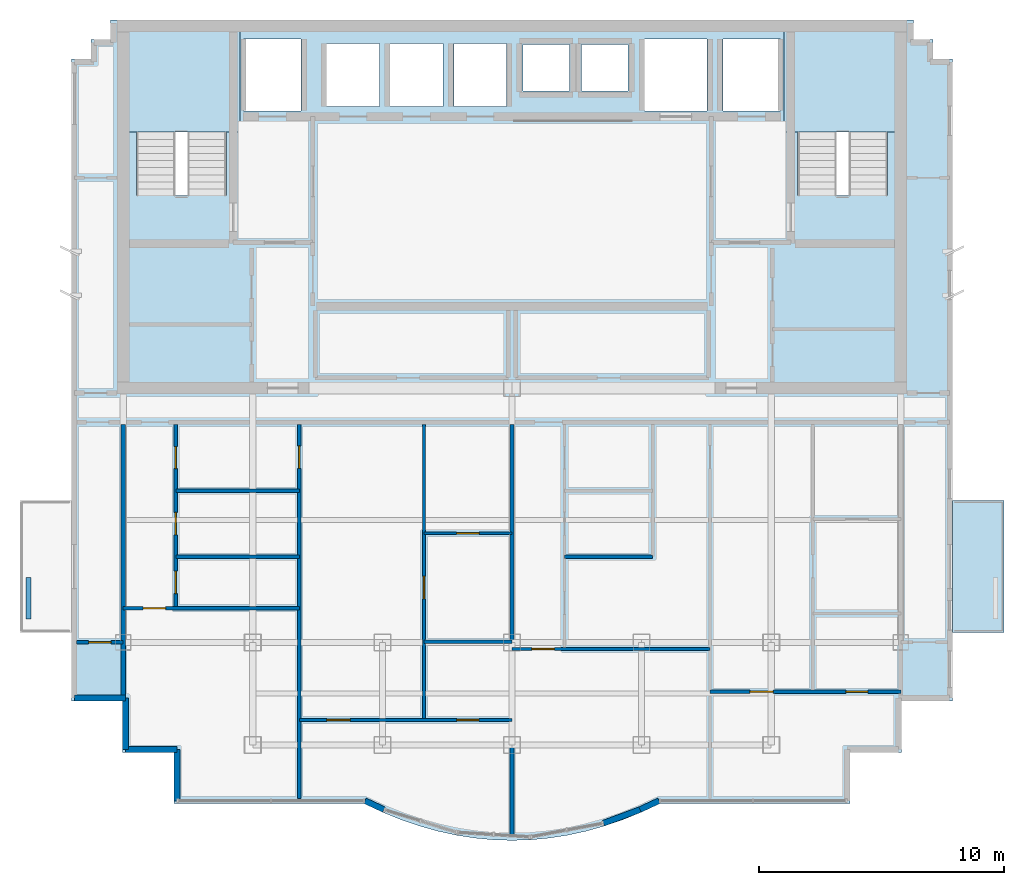
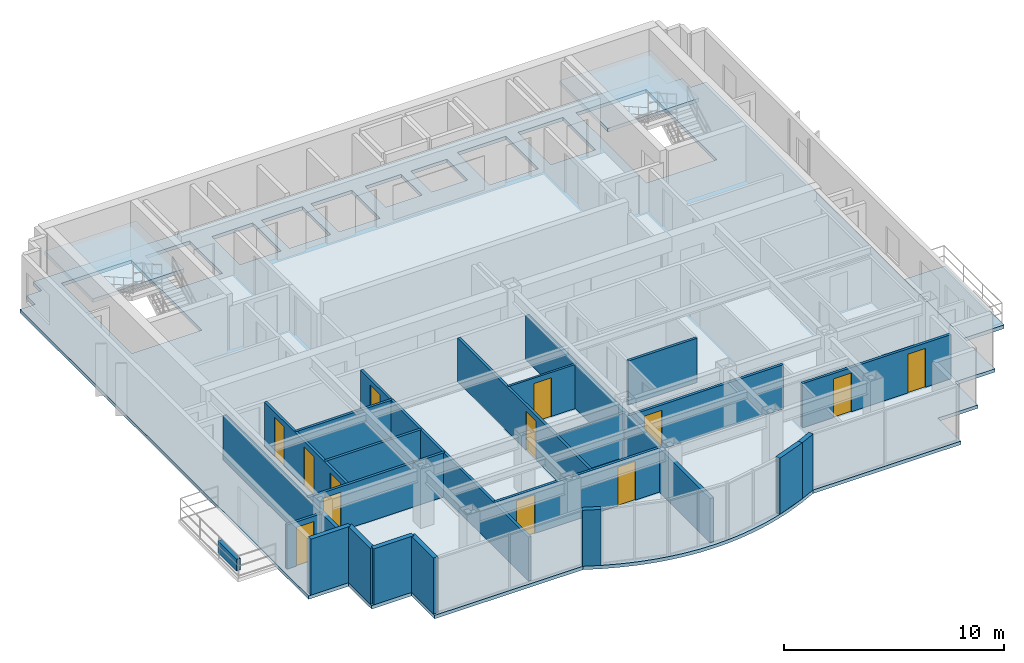
# One storey, part 3 of 9: 23 walls, 13 doors, 4 slabs, 13 openings, 2 elements without a shape of their own.
"""IFC4 building model written with IfcOpenShell, lengths in metres."""

from ifc_helpers import new_model, si_unit, direction, frame, frame_2d, origin, place, context, subcontext, project, spatial, polyline, rectangle, outline, extrude, material, layer, layer_set, type_object, element, fill, aggregate, save


model = new_model("IFC4")

# Units and contexts
model_context = context("Model", 3, precision=1e-05, world=origin(), true_north=direction((0.0, 1.0)))
body_context = subcontext(model_context, "Body", "Model", "MODEL_VIEW")
ifc_project = project(units=[si_unit("LENGTHUNIT", "METRE"), si_unit("AREAUNIT", "SQUARE_METRE"), si_unit("VOLUMEUNIT", "CUBIC_METRE"), si_unit("PLANEANGLEUNIT", "RADIAN"), si_unit("MASSUNIT", "GRAM", prefix="KILO")], contexts=[model_context])

# Site, building, storey
site_placement = place(None, origin())
site = spatial("IfcSite", under=ifc_project, at=site_placement, CompositionType="ELEMENT")
building_placement = place(site_placement, origin())
building = spatial("IfcBuilding", under=site, at=building_placement, Name="Qianlan Lanfeng Residences", CompositionType="ELEMENT")
storey_placement = place(building_placement, frame((0.0, 0.0, 252.800048828125)))
storey = spatial("IfcBuildingStorey", under=building, at=storey_placement, Name="L70", CompositionType="ELEMENT", Elevation=252.800048828125)

# Slabs
ifc_material_1 = material(Name="Concrete C42", Category="concrete")
ifc_layer_1 = layer(ifc_material_1, 0.199951171875)
ifc_layer_set_1 = layer_set([ifc_layer_1], Name="Concrete C42")
slab_type_1 = type_object("IfcSlabType", Name="S-BAL-200", PredefinedType="FLOOR", material=ifc_layer_set_1)
slab_1_placement = place(storey_placement, frame((0.0, 0.0, -0.199951171875)))
element("IfcSlab", 1, at=slab_1_placement, inside=storey, type_object=slab_type_1, Name="L70 Planted Tree Balcony Slab EB-N", PredefinedType="FLOOR", context=body_context, shape_type="SweptSolid", body=[
    extrude(outline(polyline([(44.52001953125, 20.60009765625), (44.52001953125, 15.199951171875), (46.6201171875, 15.199951171875), (46.6201171875, 20.60009765625), (44.52001953125, 20.60009765625)])), origin(), (0.0, 0.0, 1.0), 0.199951171875),
])
ifc_layer_2 = layer(ifc_material_1, 0.18994140625)
ifc_layer_set_2 = layer_set([ifc_layer_2], Name="Concrete C42")
slab_type_2 = type_object("IfcSlabType", Name="S-FL-190", PredefinedType="FLOOR", material=ifc_layer_set_2)
slab_2_placement = place(storey_placement, frame((0.0, 0.0, -0.18994140625)))
element("IfcSlab", 2, at=slab_2_placement, inside=storey, type_object=slab_type_2, Name="L70 Structural Floor Slab", PredefinedType="FLOOR", context=body_context, shape_type="SweptSolid", body=[
    extrude(outline(polyline([(8.47998046875, 12.39990234375), (10.580078125, 12.39990234375), (10.580078125, 10.300048828125), (12.679931640625, 10.300048828125), (12.679931640625, 8.199951171875), (20.4599609375, 8.199951171875), (21.215087890625, 7.847900390625), (21.969970703125, 7.5439453125), (22.72509765625, 7.285888671875), (23.47998046875, 7.074951171875), (24.235107421875, 6.910888671875), (24.989990234375, 6.7939453125), (25.7451171875, 6.722900390625), (26.5, 6.699951171875), (27.2548828125, 6.722900390625), (28.010009765625, 6.7939453125), (28.764892578125, 6.910888671875), (29.52001953125, 7.074951171875), (30.27490234375, 7.285888671875), (31.030029296875, 7.5439453125), (31.784912109375, 7.847900390625), (32.5400390625, 8.199951171875), (40.320068359375, 8.199951171875), (40.320068359375, 10.300048828125), (42.419921875, 10.300048828125), (42.419921875, 12.39990234375), (44.52001953125, 12.39990234375), (44.52001953125, 38.64990234375), (43.719970703125, 38.64990234375), (43.719970703125, 39.449951171875), (42.919921875, 39.449951171875), (42.919921875, 40.25), (10.080078125, 40.25), (10.080078125, 39.449951171875), (9.280029296875, 39.449951171875), (9.280029296875, 38.64990234375), (8.47998046875, 38.64990234375), (8.47998046875, 12.39990234375)]), holes=[polyline([(11.139892578125, 33.080078125), (11.139892578125, 39.5), (14.820068359375, 39.5), (14.820068359375, 33.080078125), (11.139892578125, 33.080078125)]), polyline([(38.179931640625, 33.080078125), (38.179931640625, 39.5), (41.860107421875, 39.5), (41.860107421875, 33.080078125), (38.179931640625, 33.080078125)]), polyline([(15.52001953125, 36.52001953125), (15.52001953125, 39.47998046875), (17.8798828125, 39.47998046875), (17.8798828125, 36.52001953125), (15.52001953125, 36.52001953125)]), polyline([(35.1201171875, 36.52001953125), (35.1201171875, 39.47998046875), (37.47998046875, 39.47998046875), (37.47998046875, 36.52001953125), (35.1201171875, 36.52001953125)]), polyline([(31.919921875, 36.52001953125), (31.919921875, 39.47998046875), (34.47998046875, 39.47998046875), (34.47998046875, 36.52001953125), (31.919921875, 36.52001953125)]), polyline([(18.919921875, 36.719970703125), (18.919921875, 39.280029296875), (21.080078125, 39.280029296875), (21.080078125, 36.719970703125), (18.919921875, 36.719970703125)]), polyline([(21.52001953125, 36.719970703125), (21.52001953125, 39.280029296875), (23.679931640625, 39.280029296875), (23.679931640625, 36.719970703125), (21.52001953125, 36.719970703125)]), polyline([(24.1201171875, 36.719970703125), (24.1201171875, 39.280029296875), (26.280029296875, 39.280029296875), (26.280029296875, 36.719970703125), (24.1201171875, 36.719970703125)]), polyline([(26.949951171875, 37.35009765625), (26.949951171875, 39.25), (28.85009765625, 39.25), (28.85009765625, 37.35009765625), (26.949951171875, 37.35009765625)]), polyline([(29.35009765625, 37.35009765625), (29.35009765625, 39.25), (31.25, 39.25), (31.25, 37.35009765625), (29.35009765625, 37.35009765625)])]), origin(), (0.0, 0.0, 1.0), 0.18994140625),
])

# Stair, slab
stair_type = type_object("IfcStairType", Name="STR-MAIN", PredefinedType="HALF_TURN_STAIR", material=ifc_material_1)
stair_1_placement = place(storey_placement, origin())
stair_1 = element("IfcStair", 3, at=stair_1_placement, inside=storey, type_object=stair_type, Name="L70 Exit Stair ST-1", PredefinedType="HALF_TURN_STAIR")
ifc_layer_3 = layer(ifc_material_1, 0.179931640625)
ifc_layer_set_3 = layer_set([ifc_layer_3], Name="Concrete C42")
slab_type_3 = type_object("IfcSlabType", Name="S-LND-180", PredefinedType="LANDING", material=ifc_layer_set_3)
slab_3_placement = place(storey_placement, frame((0.0, 0.0, 1.449951171875)))
slab_3 = element("IfcSlab", 4, at=slab_3_placement, type_object=slab_type_3, Name="ST-1 landing 1", PredefinedType="LANDING", context=body_context, shape_type="SweptSolid", body=[
    extrude(outline(polyline([(10.580078125, 35.659912109375), (15.3798828125, 35.659912109375), (15.3798828125, 40.050048828125), (10.580078125, 40.050048828125), (10.580078125, 35.659912109375)])), origin(), (0.0, 0.0, 1.0), 0.199951171875),
])
aggregate(stair_1, [slab_3])

stair_2_placement = place(storey_placement, origin())
stair_2 = element("IfcStair", 5, at=stair_2_placement, inside=storey, type_object=stair_type, Name="L70 Exit Stair ST-2", PredefinedType="HALF_TURN_STAIR")
slab_4_placement = place(storey_placement, frame((0.0, 0.0, 1.449951171875)))
slab_4 = element("IfcSlab", 6, at=slab_4_placement, type_object=slab_type_3, Name="ST-2 landing 1", PredefinedType="LANDING", context=body_context, shape_type="SweptSolid", body=[
    extrude(outline(polyline([(37.6201171875, 35.659912109375), (42.419921875, 35.659912109375), (42.419921875, 40.050048828125), (37.6201171875, 40.050048828125), (37.6201171875, 35.659912109375)])), origin(), (0.0, 0.0, 1.0), 0.199951171875),
])
aggregate(stair_2, [slab_4])

# Walls
ifc_layer_4 = layer(ifc_material_1, 0.239990234375)
ifc_layer_set_4 = layer_set([ifc_layer_4], Name="Concrete C42")
wall_type_1 = type_object("IfcWallType", Name="EW-240", PredefinedType="SOLIDWALL", material=ifc_layer_set_4)
wall_1_placement = place(storey_placement, frame((8.60009765625, 12.52001953125, 0.0), z_axis=(0.0, 0.0, 1.0), x_axis=(1.0, 0.0, 0.0)))
element("IfcWall", 7, at=wall_1_placement, inside=storey, type_object=wall_type_1, Name="L70 Exterior Facade Spandrel Wall 1", PredefinedType="SOLIDWALL", context=body_context, shape_type="SweptSolid", body=[
    extrude(rectangle(XDim=2.099853515625, YDim=0.239990234375, at=frame_2d((1.0498046875, 0.0))), origin(), (0.0, 0.0, 1.0), 3.10986328125),
])
for number, where, z_axis, x_axis, name in (
    (8, (10.699951171875, 12.52001953125, 0.0), (0.0, 0.0, 1.0), (0.0, -1.0, 0.0), "L70 Exterior Facade Spandrel Wall 2"),
    (9, (10.699951171875, 10.419921875, 0.0), (0.0, 0.0, 1.0), (1.0, 0.0, 0.0), "L70 Exterior Facade Spandrel Wall 3"),
):
    element("IfcWall", number, at=place(storey_placement, frame(where, z_axis=z_axis, x_axis=x_axis)), inside=storey, type_object=wall_type_1, Name=name, PredefinedType="SOLIDWALL", context=body_context, shape_type="SweptSolid", body=[
        extrude(rectangle(XDim=2.10009765625, YDim=0.239990234375, at=frame_2d((1.050048828125, 0.0))), origin(), (0.0, 0.0, 1.0), 3.10986328125),
    ])
wall_2_placement = place(storey_placement, frame((12.800048828125, 10.419921875, 0.0), z_axis=(0.0, 0.0, 1.0), x_axis=(0.0, -1.0, 0.0)))
element("IfcWall", 10, at=wall_2_placement, inside=storey, type_object=wall_type_1, Name="L70 Exterior Facade Spandrel Wall 4", PredefinedType="SOLIDWALL", context=body_context, shape_type="SweptSolid", body=[
    extrude(rectangle(XDim=2.099853515625, YDim=0.239990234375, at=frame_2d((1.0498046875, 0.0))), origin(), (0.0, 0.0, 1.0), 3.10986328125),
])
wall_3_placement = place(storey_placement, frame((20.487060546875, 8.320068359375, 0.0), z_axis=(0.0, 0.0, 1.0), x_axis=(0.906190424584, -0.422869855147, 0.0)))
element("IfcWall", 11, at=wall_3_placement, inside=storey, type_object=wall_type_1, Name="L70 Exterior Facade Spandrel Wall 5", PredefinedType="SOLIDWALL", context=body_context, shape_type="SweptSolid", body=[
    extrude(rectangle(XDim=0.856201171875, YDim=0.239990234375, at=frame_2d((0.42822265625, 0.0))), origin(), (0.0, 0.0, 1.0), 3.10986328125),
])
wall_4_placement = place(storey_placement, frame((30.239013671875, 7.40087890625, 0.0), z_axis=(0.0, 0.0, 1.0), x_axis=(0.937279890693, 0.34857769077, 0.0)))
element("IfcWall", 12, at=wall_4_placement, inside=storey, type_object=wall_type_1, Name="L70 Exterior Facade Spandrel Wall 6", PredefinedType="SOLIDWALL", context=body_context, shape_type="SweptSolid", body=[
    extrude(rectangle(XDim=1.598388671875, YDim=0.239990234375, at=frame_2d((0.79931640625, 0.0))), origin(), (0.0, 0.0, 1.0), 3.10986328125),
])
wall_5_placement = place(storey_placement, frame((31.737060546875, 7.9580078125, 0.0), z_axis=(0.0, 0.0, 1.0), x_axis=(0.906190424584, 0.422869855147, 0.0)))
element("IfcWall", 13, at=wall_5_placement, inside=storey, type_object=wall_type_1, Name="L70 Exterior Facade Spandrel Wall 7", PredefinedType="SOLIDWALL", context=body_context, shape_type="SweptSolid", body=[
    extrude(rectangle(XDim=0.856201171875, YDim=0.239990234375, at=frame_2d((0.42822265625, 0.0))), origin(), (0.0, 0.0, 1.0), 3.10986328125),
])
ifc_layer_5 = layer(ifc_material_1, 0.199951171875)
ifc_layer_set_5 = layer_set([ifc_layer_5], Name="Concrete C42")
wall_type_2 = type_object("IfcWallType", Name="PL-TREE-200", PredefinedType="PARAPET", material=ifc_layer_set_5)
wall_6_placement = place(storey_placement, frame((6.72998046875, 15.75, 0.0), z_axis=(0.0, 0.0, 1.0), x_axis=(0.0, 1.0, 0.0)))
element("IfcWall", 14, at=wall_6_placement, inside=storey, type_object=wall_type_2, Name="L70 West Tree Planter Curb WB-S", PredefinedType="PARAPET", context=body_context, shape_type="SweptSolid", body=[
    extrude(rectangle(XDim=1.699951171875, YDim=0.199951171875, at=frame_2d((0.85009765625, 0.0))), origin(), (0.0, 0.0, 1.0), 0.64990234375),
])

# Wall, opening, door
ifc_material_2 = material(Name="Demountable Acoustic Framing Partition 110 mm")
ifc_layer_6 = layer(ifc_material_2, 0.110107421875)
ifc_layer_set_6 = layer_set([ifc_layer_6], Name="Demountable Acoustic Framing Partition 110 mm")
wall_type_3 = type_object("IfcWallType", Name="PW-110", PredefinedType="MOVABLE", material=ifc_layer_set_6)
wall_7_placement = place(storey_placement, frame((22.89990234375, 19.260986328125, 0.0), z_axis=(0.0, 0.0, 1.0), x_axis=(1.0, 0.0, 0.0)))
wall_7 = element("IfcWall", 15, at=wall_7_placement, inside=storey, type_object=wall_type_3, Name="L70 U01 Wardrobe Split", PredefinedType="MOVABLE", context=body_context, shape_type="SweptSolid", body=[
    extrude(rectangle(XDim=3.60009765625, YDim=0.110107421875, at=frame_2d((1.800048828125, 0.0))), origin(), (0.0, 0.0, 1.0), 2.449951171875),
])
opening_1_placement = place(wall_7_placement, frame((1.340087890625, 0.0, 0.0)))
opening_1 = element("IfcOpeningElement", 16, at=opening_1_placement, cuts=wall_7, Name="Opening L70-D26", PredefinedType="OPENING", context=body_context, shape_type="SweptSolid", body=[
    extrude(rectangle(XDim=0.919921875, YDim=2.14990234375, at=frame_2d((0.4599609375, 1.074951171875))), frame((0.0, 0.06494140625, 0.0), z_axis=(0.0, -1.0, 0.0), x_axis=(1.0, 0.0, 0.0)), (0.0, 0.0, 1.0), 0.130126953125),
])
ifc_material_3 = material(Name="Glazed Timber Kitchen/Study Door", Category="wood")
door_type_1 = type_object("IfcDoorType", Name="DT-INT", OperationType="NOTDEFINED", PredefinedType="DOOR", material=ifc_material_3)
door_1_placement = place(opening_1_placement, origin())
door_1 = element("IfcDoor", 17, at=door_1_placement, inside=storey, type_object=door_type_1, Name="L70 U01 Dressing Inner Door L70-D26 (DT-INT)", OperationType="SINGLE_SWING_RIGHT", OverallHeight=2.14990234375, OverallWidth=0.919921875, PredefinedType="DOOR", context=body_context, shape_type="SweptSolid", body=[
    extrude(rectangle(XDim=0.919921875, YDim=2.14990234375, at=frame_2d((0.4599609375, 1.074951171875))), frame((0.0, 0.02490234375, 0.0), z_axis=(0.0, -1.0, 0.0), x_axis=(1.0, 0.0, 0.0)), (0.0, 0.0, 1.0), 0.050048828125),
])
fill(opening_1, door_1)

ifc_material_4 = material(Name="Moisture-Resistant Gypsum Partition 135 mm")
ifc_layer_7 = layer(ifc_material_4, 0.135009765625)
ifc_layer_set_7 = layer_set([ifc_layer_7], Name="Moisture-Resistant Gypsum Partition 135 mm")
wall_type_4 = type_object("IfcWallType", Name="PW-135", PredefinedType="PARTITIONING", material=ifc_layer_set_7)
wall_8_placement = place(storey_placement, frame((17.800048828125, 8.419921875, 0.0), z_axis=(0.0, 0.0, 1.0), x_axis=(0.0, 1.0, 0.0)))
wall_8 = element("IfcWall", 18, at=wall_8_placement, inside=storey, type_object=wall_type_4, Name="L70 U01 Bay Spine Wall 1", PredefinedType="PARTITIONING", context=body_context, shape_type="SweptSolid", body=[
    extrude(rectangle(XDim=15.280029296875, YDim=0.135009765625, at=frame_2d((7.64013671875, 0.0))), origin(), (0.0, 0.0, 1.0), 2.449951171875),
])
opening_2_placement = place(wall_8_placement, frame((13.4951171875, 0.0, 0.0)))
opening_2 = element("IfcOpeningElement", 19, at=opening_2_placement, cuts=wall_8, Name="Opening L70-D18", PredefinedType="OPENING", context=body_context, shape_type="SweptSolid", body=[
    extrude(rectangle(XDim=0.919921875, YDim=2.14990234375, at=frame_2d((0.4599609375, 1.074951171875))), frame((0.0, 0.07763671875, 0.0), z_axis=(0.0, -1.0, 0.0), x_axis=(1.0, 0.0, 0.0)), (0.0, 0.0, 1.0), 0.155029296875),
])
door_2_placement = place(opening_2_placement, origin())
door_2 = element("IfcDoor", 20, at=door_2_placement, inside=storey, type_object=door_type_1, Name="L70 U01 Internal Hall Door L70-D18 (DT-INT)", OperationType="SINGLE_SWING_RIGHT", OverallHeight=2.14990234375, OverallWidth=0.919921875, PredefinedType="DOOR", context=body_context, shape_type="SweptSolid", body=[
    extrude(rectangle(XDim=0.919921875, YDim=2.14990234375, at=frame_2d((0.4599609375, 1.074951171875))), frame((0.0, 0.02490234375, 0.0), z_axis=(0.0, -1.0, 0.0), x_axis=(1.0, 0.0, 0.0)), (0.0, 0.0, 1.0), 0.050048828125),
])
fill(opening_2, door_2)

wall_9_placement = place(storey_placement, frame((10.60009765625, 16.197998046875, 0.0), z_axis=(0.0, 0.0, 1.0), x_axis=(1.0, 0.0, 0.0)))
wall_9 = element("IfcWall", 21, at=wall_9_placement, inside=storey, type_object=wall_type_4, Name="L70 U01 Living Divider", PredefinedType="PARTITIONING", context=body_context, shape_type="SweptSolid", body=[
    extrude(rectangle(XDim=7.199951171875, YDim=0.135009765625, at=frame_2d((3.60009765625, 0.0))), origin(), (0.0, 0.0, 1.0), 2.449951171875),
])
opening_3_placement = place(wall_9_placement, frame((0.81494140625, 0.0, 0.0)))
opening_3 = element("IfcOpeningElement", 22, at=opening_3_placement, cuts=wall_9, Name="Opening L70-D19", PredefinedType="OPENING", context=body_context, shape_type="SweptSolid", body=[
    extrude(rectangle(XDim=0.919921875, YDim=2.14990234375, at=frame_2d((0.4599609375, 1.074951171875))), frame((0.0, 0.07763671875, 0.0), z_axis=(0.0, -1.0, 0.0), x_axis=(1.0, 0.0, 0.0)), (0.0, 0.0, 1.0), 0.155029296875),
])
door_3_placement = place(opening_3_placement, origin())
door_3 = element("IfcDoor", 23, at=door_3_placement, inside=storey, type_object=door_type_1, Name="L70 U01 Living Passage Door L70-D19 (DT-INT)", OperationType="SINGLE_SWING_LEFT", OverallHeight=2.14990234375, OverallWidth=0.919921875, PredefinedType="DOOR", context=body_context, shape_type="SweptSolid", body=[
    extrude(rectangle(XDim=0.919921875, YDim=2.14990234375, at=frame_2d((0.4599609375, 1.074951171875))), frame((0.0, 0.02490234375, 0.0), z_axis=(0.0, -1.0, 0.0), x_axis=(1.0, 0.0, 0.0)), (0.0, 0.0, 1.0), 0.050048828125),
])
fill(opening_3, door_3)

# Wall, openings, doors
wall_10_placement = place(storey_placement, frame((12.75, 16.197998046875, 0.0), z_axis=(0.0, 0.0, 1.0), x_axis=(0.0, 1.0, 0.0)))
wall_10 = element("IfcWall", 24, at=wall_10_placement, inside=storey, type_object=wall_type_4, Name="L70 U01 Entry Hall Spine", PredefinedType="PARTITIONING", context=body_context, shape_type="SweptSolid", body=[
    extrude(rectangle(XDim=7.501953125, YDim=0.135009765625, at=frame_2d((3.7509765625, 0.0))), origin(), (0.0, 0.0, 1.0), 2.449951171875),
])
opening_4_placement = place(wall_10_placement, frame((0.591064453125, 0.0, 0.0)))
opening_4 = element("IfcOpeningElement", 25, at=opening_4_placement, cuts=wall_10, Name="Opening L70-D20", PredefinedType="OPENING", context=body_context, shape_type="SweptSolid", body=[
    extrude(rectangle(XDim=0.919921875, YDim=2.14990234375, at=frame_2d((0.4599609375, 1.074951171875))), frame((0.0, 0.07763671875, 0.0), z_axis=(0.0, -1.0, 0.0), x_axis=(1.0, 0.0, 0.0)), (0.0, 0.0, 1.0), 0.155029296875),
])
opening_5_placement = place(wall_10_placement, frame((2.991943359375, 0.0, 0.0)))
opening_5 = element("IfcOpeningElement", 26, at=opening_5_placement, cuts=wall_10, Name="Opening L70-D21", PredefinedType="OPENING", context=body_context, shape_type="SweptSolid", body=[
    extrude(rectangle(XDim=0.919921875, YDim=2.14990234375, at=frame_2d((0.4599609375, 1.074951171875))), frame((0.0, 0.07763671875, 0.0), z_axis=(0.0, -1.0, 0.0), x_axis=(1.0, 0.0, 0.0)), (0.0, 0.0, 1.0), 0.155029296875),
])
opening_6_placement = place(wall_10_placement, frame((5.701904296875, 0.0, 0.0)))
opening_6 = element("IfcOpeningElement", 27, at=opening_6_placement, cuts=wall_10, Name="Opening L70-D22", PredefinedType="OPENING", context=body_context, shape_type="SweptSolid", body=[
    extrude(rectangle(XDim=0.89990234375, YDim=2.14990234375, at=frame_2d((0.449951171875, 1.074951171875))), frame((0.0, 0.07763671875, 0.0), z_axis=(0.0, -1.0, 0.0), x_axis=(1.0, 0.0, 0.0)), (0.0, 0.0, 1.0), 0.155029296875),
])
door_4_placement = place(opening_4_placement, origin())
door_4 = element("IfcDoor", 28, at=door_4_placement, inside=storey, type_object=door_type_1, Name="L70 U01 Study Door L70-D20 (DT-INT)", OperationType="SINGLE_SWING_RIGHT", OverallHeight=2.14990234375, OverallWidth=0.919921875, PredefinedType="DOOR", context=body_context, shape_type="SweptSolid", body=[
    extrude(rectangle(XDim=0.919921875, YDim=2.14990234375, at=frame_2d((0.4599609375, 1.074951171875))), frame((0.0, 0.02490234375, 0.0), z_axis=(0.0, -1.0, 0.0), x_axis=(1.0, 0.0, 0.0)), (0.0, 0.0, 1.0), 0.050048828125),
])
fill(opening_4, door_4)
door_5_placement = place(opening_5_placement, origin())
door_5 = element("IfcDoor", 29, at=door_5_placement, inside=storey, type_object=door_type_1, Name="L70 U01 Kitchen Door L70-D21 (DT-INT)", OperationType="SINGLE_SWING_LEFT", OverallHeight=2.14990234375, OverallWidth=0.919921875, PredefinedType="DOOR", context=body_context, shape_type="SweptSolid", body=[
    extrude(rectangle(XDim=0.919921875, YDim=2.14990234375, at=frame_2d((0.4599609375, 1.074951171875))), frame((0.0, 0.02490234375, 0.0), z_axis=(0.0, -1.0, 0.0), x_axis=(1.0, 0.0, 0.0)), (0.0, 0.0, 1.0), 0.050048828125),
])
fill(opening_5, door_5)
ifc_material_5 = material(Name="Moisture-Resistant Timber Leaf", Category="wood")
door_type_2 = type_object("IfcDoorType", Name="DT-WC", OperationType="NOTDEFINED", PredefinedType="DOOR", material=ifc_material_5)
door_6_placement = place(opening_6_placement, origin())
door_6 = element("IfcDoor", 30, at=door_6_placement, inside=storey, type_object=door_type_2, Name="L70 U01 Bathroom Door L70-D22 (DT-WC)", OperationType="SINGLE_SWING_RIGHT", OverallHeight=2.14990234375, OverallWidth=0.89990234375, PredefinedType="DOOR", context=body_context, shape_type="SweptSolid", body=[
    extrude(rectangle(XDim=0.89990234375, YDim=2.14990234375, at=frame_2d((0.449951171875, 1.074951171875))), frame((0.0, 0.02490234375, 0.0), z_axis=(0.0, -1.0, 0.0), x_axis=(1.0, 0.0, 0.0)), (0.0, 0.0, 1.0), 0.050048828125),
])
fill(opening_6, door_6)

# Walls
for number, where, z_axis, x_axis, name in (
    (31, (12.75, 18.300048828125, 0.0), (0.0, 0.0, 1.0), (1.0, 0.0, 0.0), "L70 U01 Kitchen South Wall"),
    (32, (12.75, 21.0, 0.0), (0.0, 0.0, 1.0), (1.0, 0.0, 0.0), "L70 U01 Bathroom South Wall"),
):
    element("IfcWall", number, at=place(storey_placement, frame(where, z_axis=z_axis, x_axis=x_axis)), inside=storey, type_object=wall_type_4, Name=name, PredefinedType="PARTITIONING", context=body_context, shape_type="SweptSolid", body=[
        extrude(rectangle(XDim=5.050048828125, YDim=0.135009765625, at=frame_2d((2.52490234375, 0.0))), origin(), (0.0, 0.0, 1.0), 2.449951171875),
    ])

# Wall, openings, doors
wall_11_placement = place(storey_placement, frame((17.800048828125, 11.623046875, 0.0), z_axis=(0.0, 0.0, 1.0), x_axis=(1.0, 0.0, 0.0)))
wall_11 = element("IfcWall", 33, at=wall_11_placement, inside=storey, type_object=wall_type_4, Name="L70 U01 Master Bedroom North Wall", PredefinedType="PARTITIONING", context=body_context, shape_type="SweptSolid", body=[
    extrude(rectangle(XDim=8.699951171875, YDim=0.135009765625, at=frame_2d((4.35009765625, 0.0))), origin(), (0.0, 0.0, 1.0), 2.449951171875),
])
opening_7_placement = place(wall_11_placement, frame((1.125, 0.0, 0.0)))
opening_7 = element("IfcOpeningElement", 34, at=opening_7_placement, cuts=wall_11, Name="Opening L70-D23", PredefinedType="OPENING", context=body_context, shape_type="SweptSolid", body=[
    extrude(rectangle(XDim=0.949951171875, YDim=2.14990234375, at=frame_2d((0.47509765625, 1.074951171875))), frame((0.0, 0.07763671875, 0.0), z_axis=(0.0, -1.0, 0.0), x_axis=(1.0, 0.0, 0.0)), (0.0, 0.0, 1.0), 0.155029296875),
])
opening_8_placement = place(wall_11_placement, frame((6.449951171875, 0.0, 0.0)))
opening_8 = element("IfcOpeningElement", 35, at=opening_8_placement, cuts=wall_11, Name="Opening L70-D24", PredefinedType="OPENING", context=body_context, shape_type="SweptSolid", body=[
    extrude(rectangle(XDim=0.89990234375, YDim=2.14990234375, at=frame_2d((0.449951171875, 1.074951171875))), frame((0.0, 0.07763671875, 0.0), z_axis=(0.0, -1.0, 0.0), x_axis=(1.0, 0.0, 0.0)), (0.0, 0.0, 1.0), 0.155029296875),
])
ifc_material_6 = material(Name="Painted Solid-Core Timber Leaf", Category="wood")
door_type_3 = type_object("IfcDoorType", Name="DT-BED", OperationType="NOTDEFINED", PredefinedType="DOOR", material=ifc_material_6)
door_7_placement = place(opening_7_placement, origin())
door_7 = element("IfcDoor", 36, at=door_7_placement, inside=storey, type_object=door_type_3, Name="L70 U01 Master Bedroom Door L70-D23 (DT-BED)", OperationType="SINGLE_SWING_LEFT", OverallHeight=2.14990234375, OverallWidth=0.949951171875, PredefinedType="DOOR", context=body_context, shape_type="SweptSolid", body=[
    extrude(rectangle(XDim=0.949951171875, YDim=2.14990234375, at=frame_2d((0.47509765625, 1.074951171875))), frame((0.0, 0.02490234375, 0.0), z_axis=(0.0, -1.0, 0.0), x_axis=(1.0, 0.0, 0.0)), (0.0, 0.0, 1.0), 0.050048828125),
])
fill(opening_7, door_7)
door_8_placement = place(opening_8_placement, origin())
door_8 = element("IfcDoor", 37, at=door_8_placement, inside=storey, type_object=door_type_2, Name="L70 U01 En-Suite Bathroom Door L70-D24 (DT-WC)", OperationType="SINGLE_SWING_RIGHT", OverallHeight=2.14990234375, OverallWidth=0.89990234375, PredefinedType="DOOR", context=body_context, shape_type="SweptSolid", body=[
    extrude(rectangle(XDim=0.89990234375, YDim=2.14990234375, at=frame_2d((0.449951171875, 1.074951171875))), frame((0.0, 0.02490234375, 0.0), z_axis=(0.0, -1.0, 0.0), x_axis=(1.0, 0.0, 0.0)), (0.0, 0.0, 1.0), 0.050048828125),
])
fill(opening_8, door_8)

# Wall, opening, door
wall_12_placement = place(storey_placement, frame((22.89990234375, 11.623046875, 0.0), z_axis=(0.0, 0.0, 1.0), x_axis=(0.0, 1.0, 0.0)))
wall_12 = element("IfcWall", 38, at=wall_12_placement, inside=storey, type_object=wall_type_4, Name="L70 U01 Master Passage Wall", PredefinedType="PARTITIONING", context=body_context, shape_type="SweptSolid", body=[
    extrude(rectangle(XDim=12.076904296875, YDim=0.135009765625, at=frame_2d((6.03857421875, 0.0))), origin(), (0.0, 0.0, 1.0), 2.449951171875),
])
opening_9_placement = place(wall_12_placement, frame((4.958984375, 0.0, 0.0)))
opening_9 = element("IfcOpeningElement", 39, at=opening_9_placement, cuts=wall_12, Name="Opening L70-D25", PredefinedType="OPENING", context=body_context, shape_type="SweptSolid", body=[
    extrude(rectangle(XDim=0.919921875, YDim=2.14990234375, at=frame_2d((0.4599609375, 1.074951171875))), frame((0.0, 0.07763671875, 0.0), z_axis=(0.0, -1.0, 0.0), x_axis=(1.0, 0.0, 0.0)), (0.0, 0.0, 1.0), 0.155029296875),
])
door_9_placement = place(opening_9_placement, origin())
door_9 = element("IfcDoor", 40, at=door_9_placement, inside=storey, type_object=door_type_1, Name="L70 U01 Wardrobe Door L70-D25 (DT-INT)", OperationType="SINGLE_SWING_LEFT", OverallHeight=2.14990234375, OverallWidth=0.919921875, PredefinedType="DOOR", context=body_context, shape_type="SweptSolid", body=[
    extrude(rectangle(XDim=0.919921875, YDim=2.14990234375, at=frame_2d((0.4599609375, 1.074951171875))), frame((0.0, 0.02490234375, 0.0), z_axis=(0.0, -1.0, 0.0), x_axis=(1.0, 0.0, 0.0)), (0.0, 0.0, 1.0), 0.050048828125),
])
fill(opening_9, door_9)

# Wall
wall_13_placement = place(storey_placement, frame((22.89990234375, 14.822998046875, 0.0), z_axis=(0.0, 0.0, 1.0), x_axis=(1.0, 0.0, 0.0)))
element("IfcWall", 41, at=wall_13_placement, inside=storey, type_object=wall_type_4, Name="L70 U01 En-Suite North Wall", PredefinedType="PARTITIONING", context=body_context, shape_type="SweptSolid", body=[
    extrude(rectangle(XDim=3.60009765625, YDim=0.135009765625, at=frame_2d((1.800048828125, 0.0))), origin(), (0.0, 0.0, 1.0), 2.449951171875),
])

# Wall, opening, door
wall_14_placement = place(storey_placement, frame((26.5, 14.52587890625, 0.0), z_axis=(0.0, 0.0, 1.0), x_axis=(1.0, 0.0, 0.0)))
wall_14 = element("IfcWall", 42, at=wall_14_placement, inside=storey, type_object=wall_type_4, Name="L70 U02 Living Divider", PredefinedType="PARTITIONING", context=body_context, shape_type="SweptSolid", body=[
    extrude(rectangle(XDim=8.10009765625, YDim=0.135009765625, at=frame_2d((4.050048828125, 0.0))), origin(), (0.0, 0.0, 1.0), 2.449951171875),
])
opening_10_placement = place(wall_14_placement, frame((0.81494140625, 0.0, 0.0)))
opening_10 = element("IfcOpeningElement", 43, at=opening_10_placement, cuts=wall_14, Name="Opening L70-D29", PredefinedType="OPENING", context=body_context, shape_type="SweptSolid", body=[
    extrude(rectangle(XDim=0.919921875, YDim=2.14990234375, at=frame_2d((0.4599609375, 1.074951171875))), frame((0.0, 0.07763671875, 0.0), z_axis=(0.0, -1.0, 0.0), x_axis=(1.0, 0.0, 0.0)), (0.0, 0.0, 1.0), 0.155029296875),
])
door_10_placement = place(opening_10_placement, frame((0.919921875, 0.0, 0.0), z_axis=(0.0, 0.0, 1.0), x_axis=(-1.0, 0.0, 0.0)))
door_10 = element("IfcDoor", 44, at=door_10_placement, inside=storey, type_object=door_type_1, Name="L70 U02 Living Passage Door L70-D29 (DT-INT)", OperationType="SINGLE_SWING_LEFT", OverallHeight=2.14990234375, OverallWidth=0.919921875, PredefinedType="DOOR", context=body_context, shape_type="SweptSolid", body=[
    extrude(rectangle(XDim=0.919921875, YDim=2.14990234375, at=frame_2d((0.4599609375, 1.074951171875))), frame((0.0, 0.02490234375, 0.0), z_axis=(0.0, -1.0, 0.0), x_axis=(1.0, 0.0, 0.0)), (0.0, 0.0, 1.0), 0.050048828125),
])
fill(opening_10, door_10)

# Wall
wall_15_placement = place(storey_placement, frame((28.64990234375, 18.300048828125, 0.0), z_axis=(0.0, 0.0, 1.0), x_axis=(1.0, 0.0, 0.0)))
element("IfcWall", 45, at=wall_15_placement, inside=storey, type_object=wall_type_4, Name="L70 U02 Kitchen South Wall", PredefinedType="PARTITIONING", context=body_context, shape_type="SweptSolid", body=[
    extrude(rectangle(XDim=3.60009765625, YDim=0.135009765625, at=frame_2d((1.800048828125, 0.0))), origin(), (0.0, 0.0, 1.0), 2.449951171875),
])

# Wall, openings, doors
wall_16_placement = place(storey_placement, frame((34.60009765625, 12.779052734375, 0.0), z_axis=(0.0, 0.0, 1.0), x_axis=(1.0, 0.0, 0.0)))
wall_16 = element("IfcWall", 46, at=wall_16_placement, inside=storey, type_object=wall_type_4, Name="L70 U02 Master Bedroom North Wall", PredefinedType="PARTITIONING", context=body_context, shape_type="SweptSolid", body=[
    extrude(rectangle(XDim=7.7998046875, YDim=0.135009765625, at=frame_2d((3.89990234375, 0.0))), origin(), (0.0, 0.0, 1.0), 2.449951171875),
])
opening_11_placement = place(wall_16_placement, frame((1.625, 0.0, 0.0)))
opening_11 = element("IfcOpeningElement", 47, at=opening_11_placement, cuts=wall_16, Name="Opening L70-D33", PredefinedType="OPENING", context=body_context, shape_type="SweptSolid", body=[
    extrude(rectangle(XDim=0.949951171875, YDim=2.14990234375, at=frame_2d((0.47509765625, 1.074951171875))), frame((0.0, 0.07763671875, 0.0), z_axis=(0.0, -1.0, 0.0), x_axis=(1.0, 0.0, 0.0)), (0.0, 0.0, 1.0), 0.155029296875),
])
opening_12_placement = place(wall_16_placement, frame((5.550048828125, 0.0, 0.0)))
opening_12 = element("IfcOpeningElement", 48, at=opening_12_placement, cuts=wall_16, Name="Opening L70-D34", PredefinedType="OPENING", context=body_context, shape_type="SweptSolid", body=[
    extrude(rectangle(XDim=0.89990234375, YDim=2.14990234375, at=frame_2d((0.449951171875, 1.074951171875))), frame((0.0, 0.07763671875, 0.0), z_axis=(0.0, -1.0, 0.0), x_axis=(1.0, 0.0, 0.0)), (0.0, 0.0, 1.0), 0.155029296875),
])
door_11_placement = place(opening_11_placement, origin())
door_11 = element("IfcDoor", 49, at=door_11_placement, inside=storey, type_object=door_type_3, Name="L70 U02 Master Bedroom Door L70-D33 (DT-BED)", OperationType="SINGLE_SWING_LEFT", OverallHeight=2.14990234375, OverallWidth=0.949951171875, PredefinedType="DOOR", context=body_context, shape_type="SweptSolid", body=[
    extrude(rectangle(XDim=0.949951171875, YDim=2.14990234375, at=frame_2d((0.47509765625, 1.074951171875))), frame((0.0, 0.02490234375, 0.0), z_axis=(0.0, -1.0, 0.0), x_axis=(1.0, 0.0, 0.0)), (0.0, 0.0, 1.0), 0.050048828125),
])
fill(opening_11, door_11)
door_12_placement = place(opening_12_placement, origin())
door_12 = element("IfcDoor", 50, at=door_12_placement, inside=storey, type_object=door_type_2, Name="L70 U02 En-Suite Bathroom Door L70-D34 (DT-WC)", OperationType="SINGLE_SWING_RIGHT", OverallHeight=2.14990234375, OverallWidth=0.89990234375, PredefinedType="DOOR", context=body_context, shape_type="SweptSolid", body=[
    extrude(rectangle(XDim=0.89990234375, YDim=2.14990234375, at=frame_2d((0.449951171875, 1.074951171875))), frame((0.0, 0.02490234375, 0.0), z_axis=(0.0, -1.0, 0.0), x_axis=(1.0, 0.0, 0.0)), (0.0, 0.0, 1.0), 0.050048828125),
])
fill(opening_12, door_12)

# Wall, opening, door
wall_17_placement = place(storey_placement, frame((8.699951171875, 14.800048828125, 0.0), z_axis=(0.0, 0.0, 1.0), x_axis=(1.0, 0.0, 0.0)))
wall_17 = element("IfcWall", 51, at=wall_17_placement, inside=storey, type_object=wall_type_4, Name="L70 SWP Mid Partition", PredefinedType="PARTITIONING", context=body_context, shape_type="SweptSolid", body=[
    extrude(rectangle(XDim=1.900146484375, YDim=0.135009765625, at=frame_2d((0.9501953125, 0.0))), origin(), (0.0, 0.0, 1.0), 2.449951171875),
])
opening_13_placement = place(wall_17_placement, frame((0.489990234375, 0.0, 0.0)))
opening_13 = element("IfcOpeningElement", 52, at=opening_13_placement, cuts=wall_17, Name="Opening L70-D37", PredefinedType="OPENING", context=body_context, shape_type="SweptSolid", body=[
    extrude(rectangle(XDim=0.919921875, YDim=2.14990234375, at=frame_2d((0.4599609375, 1.074951171875))), frame((0.0, 0.07763671875, 0.0), z_axis=(0.0, -1.0, 0.0), x_axis=(1.0, 0.0, 0.0)), (0.0, 0.0, 1.0), 0.155029296875),
])
door_13_placement = place(opening_13_placement, origin())
door_13 = element("IfcDoor", 53, at=door_13_placement, inside=storey, type_object=door_type_1, Name="L70 SWP Inner Door L70-D37 (DT-INT)", OperationType="SINGLE_SWING_LEFT", OverallHeight=2.14990234375, OverallWidth=0.919921875, PredefinedType="DOOR", context=body_context, shape_type="SweptSolid", body=[
    extrude(rectangle(XDim=0.919921875, YDim=2.14990234375, at=frame_2d((0.4599609375, 1.074951171875))), frame((0.0, 0.02490234375, 0.0), z_axis=(0.0, -1.0, 0.0), x_axis=(1.0, 0.0, 0.0)), (0.0, 0.0, 1.0), 0.050048828125),
])
fill(opening_13, door_13)

# Walls
ifc_material_7 = material(Name="Double-Layer Acoustic Gypsum Stud Wall 180 mm")
ifc_layer_8 = layer(ifc_material_7, 0.179931640625)
ifc_layer_set_8 = layer_set([ifc_layer_8], Name="Double-Layer Acoustic Gypsum Stud Wall 180 mm")
wall_type_5 = type_object("IfcWallType", Name="PW-180", PredefinedType="PARTITIONING", material=ifc_layer_set_8)
wall_18_placement = place(storey_placement, frame((10.60009765625, 12.6201171875, 0.0), z_axis=(0.0, 0.0, 1.0), x_axis=(0.0, 1.0, 0.0)))
element("IfcWall", 54, at=wall_18_placement, inside=storey, type_object=wall_type_5, Name="L70 Wing Boundary Party Wall W0", PredefinedType="PARTITIONING", context=body_context, shape_type="SweptSolid", body=[
    extrude(rectangle(XDim=11.079833984375, YDim=0.179931640625, at=frame_2d((5.5400390625, 0.0))), origin(), (0.0, 0.0, 1.0), 2.449951171875),
])
wall_19_placement = place(storey_placement, frame((26.5, 6.919921875, 0.0), z_axis=(0.0, 0.0, 1.0), x_axis=(0.0, 1.0, 0.0)))
element("IfcWall", 55, at=wall_19_placement, inside=storey, type_object=wall_type_5, Name="L70 Inter-Tenancy Party Wall 2", PredefinedType="PARTITIONING", context=body_context, shape_type="SweptSolid", body=[
    extrude(rectangle(XDim=16.780029296875, YDim=0.179931640625, at=frame_2d((8.39013671875, 0.0))), origin(), (0.0, 0.0, 1.0), 2.449951171875),
])

save(model, "model.ifc")
